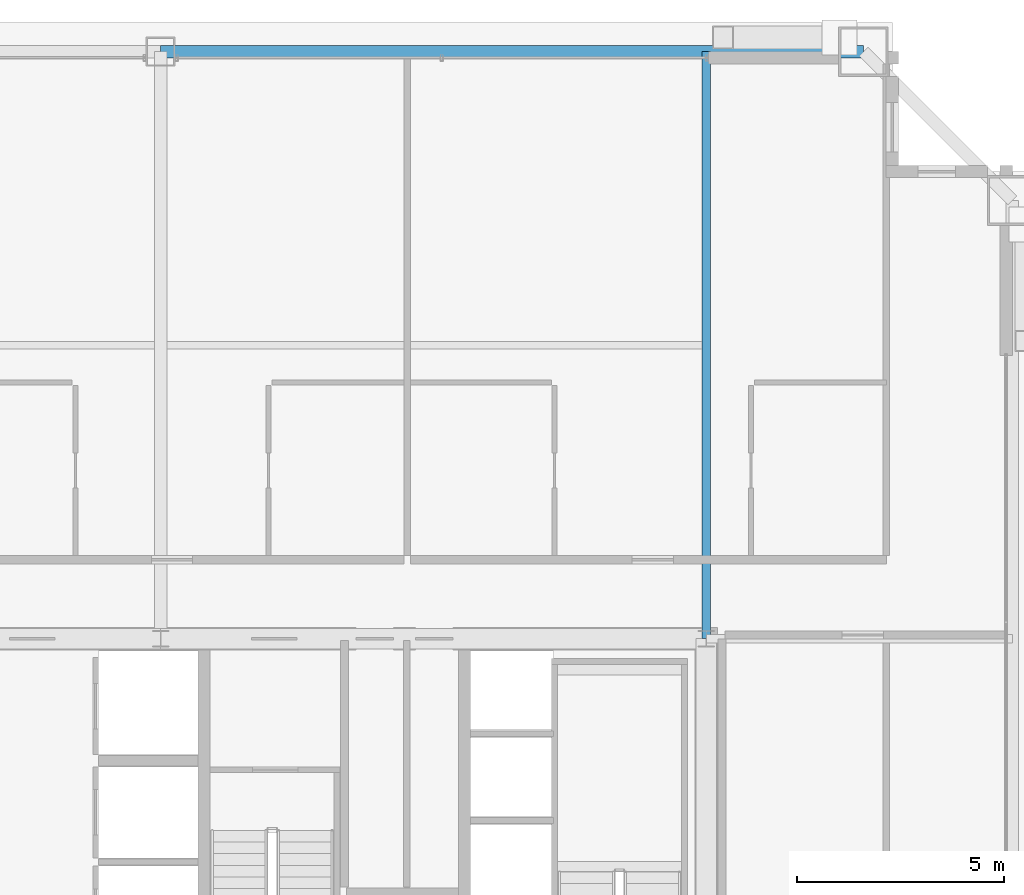
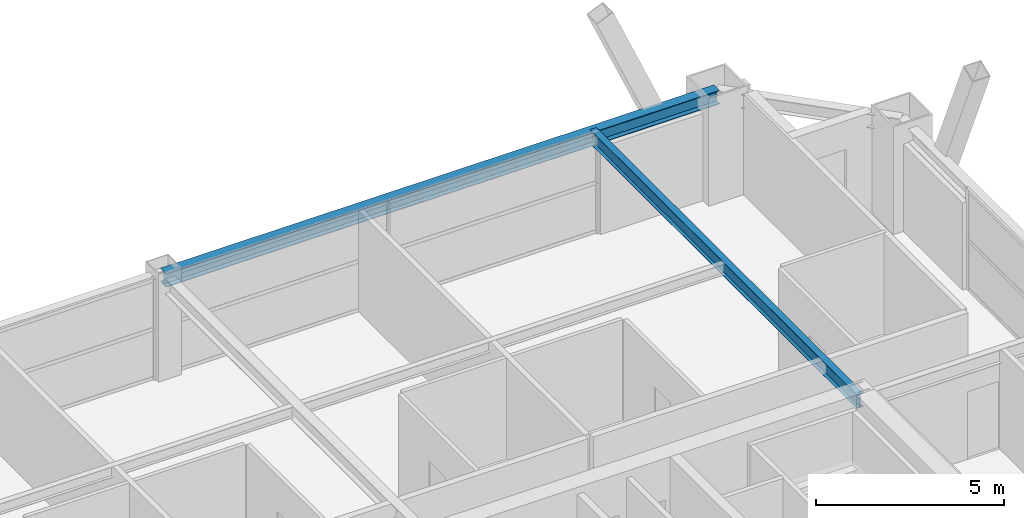
# One storey, part 27 of 34: 2 beams.
"""IFC4 building model written with IfcOpenShell, lengths in metres."""

from ifc_helpers import new_model, si_unit, direction, frame, origin, origin_2d, place, context, subcontext, project, spatial, i_section, extrude, source, transform, mapped, material, material_profile, profile_set, type_object, element, save


model = new_model("IFC4")

# Units and contexts
model_context = context("Model", 3, precision=1e-05, world=origin(), true_north=direction((0.0, 1.0)))
body_context = subcontext(model_context, "Body", "Model", "MODEL_VIEW")
ifc_project = project(units=[si_unit("LENGTHUNIT", "METRE"), si_unit("AREAUNIT", "SQUARE_METRE"), si_unit("VOLUMEUNIT", "CUBIC_METRE"), si_unit("PLANEANGLEUNIT", "RADIAN"), si_unit("MASSUNIT", "GRAM", prefix="KILO"), si_unit("THERMODYNAMICTEMPERATUREUNIT", "KELVIN"), si_unit("POWERUNIT", "WATT")], contexts=[model_context])

# Site, building, storey
site_placement = place(None, origin())
site = spatial("IfcSite", under=ifc_project, at=site_placement, CompositionType="ELEMENT")
building_placement = place(site_placement, origin())
building = spatial("IfcBuilding", under=site, at=building_placement, Name="Yuzanri Waterfront Tower", CompositionType="ELEMENT")
storey_placement = place(building_placement, frame((0.0, 0.0, 241.60009765625)))
storey = spatial("IfcBuildingStorey", under=building, at=storey_placement, Name="L64", CompositionType="ELEMENT", Elevation=241.60009765625)

# Beams
ifc_material_1 = material(Name="Steel Q355B", Category="steel")
ifc_material_profile_1 = material_profile(ifc_material_1, i_section(OverallWidth=0.300048828125, OverallDepth=0.43994140625, WebThickness=0.010986328125, FlangeThickness=0.01806640625, at=origin_2d()), Name="HM 440x300x11x18")
ifc_profile_set_1 = profile_set([ifc_material_profile_1], Name="Steel Q355B")
beam_type_1 = type_object("IfcBeamType", Name="Perimeter Spandrel Q355B HM 440x300", PredefinedType="SPANDREL", material=ifc_profile_set_1)
shared_shape_1 = source(origin(), body_context, "Body", "SweptSolid", [
    extrude(i_section(OverallWidth=0.300048828125, OverallDepth=0.43994140625, WebThickness=0.010986328125, FlangeThickness=0.01806640625, at=origin_2d()), origin(), (0.0, 0.0, 1.0), 17.0),
])
beam_1_placement = place(storey_placement, frame((54.0, 46.39990234375, 3.059814453125), z_axis=(-1.0, 0.0, 0.0), x_axis=(0.0, -1.0, 0.0)))
element("IfcBeam", 1, at=beam_1_placement, inside=storey, type_object=beam_type_1, Name="L64 Perimeter Spandrel N3-N2", PredefinedType="SPANDREL", context=body_context, shape_type="MappedRepresentation", body=[
    mapped(shared_shape_1, transform((0.0, 0.0, 0.0), scale=1.0)),
])
ifc_material_2 = material(Name="Steel Q355B", Category="steel")
ifc_material_profile_2 = material_profile(ifc_material_2, i_section(OverallWidth=0.199951171875, OverallDepth=0.449951171875, WebThickness=0.009033203125, FlangeThickness=0.013916015625, at=origin_2d()), Name="HN 450x200x9x14")
ifc_profile_set_2 = profile_set([ifc_material_profile_2], Name="Steel Q355B")
beam_type_2 = type_object("IfcBeamType", Name="Secondary Floor Beam Q355B HN 450x200", PredefinedType="BEAM", material=ifc_profile_set_2)
shared_shape_2 = source(origin(), body_context, "Body", "SweptSolid", [
    extrude(i_section(OverallWidth=0.199951171875, OverallDepth=0.449951171875, WebThickness=0.009033203125, FlangeThickness=0.013916015625, at=origin_2d()), origin(), (0.0, 0.0, 1.0), 14.199951171875),
])
beam_2_placement = place(storey_placement, frame((50.199951171875, 32.199951171875, 3.054931640625), z_axis=(0.0, 1.0, 0.0), x_axis=(-1.0, 0.0, 0.0)))
element("IfcBeam", 2, at=beam_2_placement, inside=storey, type_object=beam_type_2, Name="L64 North-East Core Line Beam", PredefinedType="BEAM", context=body_context, shape_type="MappedRepresentation", body=[
    mapped(shared_shape_2, transform((0.0, 0.0, 0.0), scale=1.0)),
])

save(model, "model.ifc")
